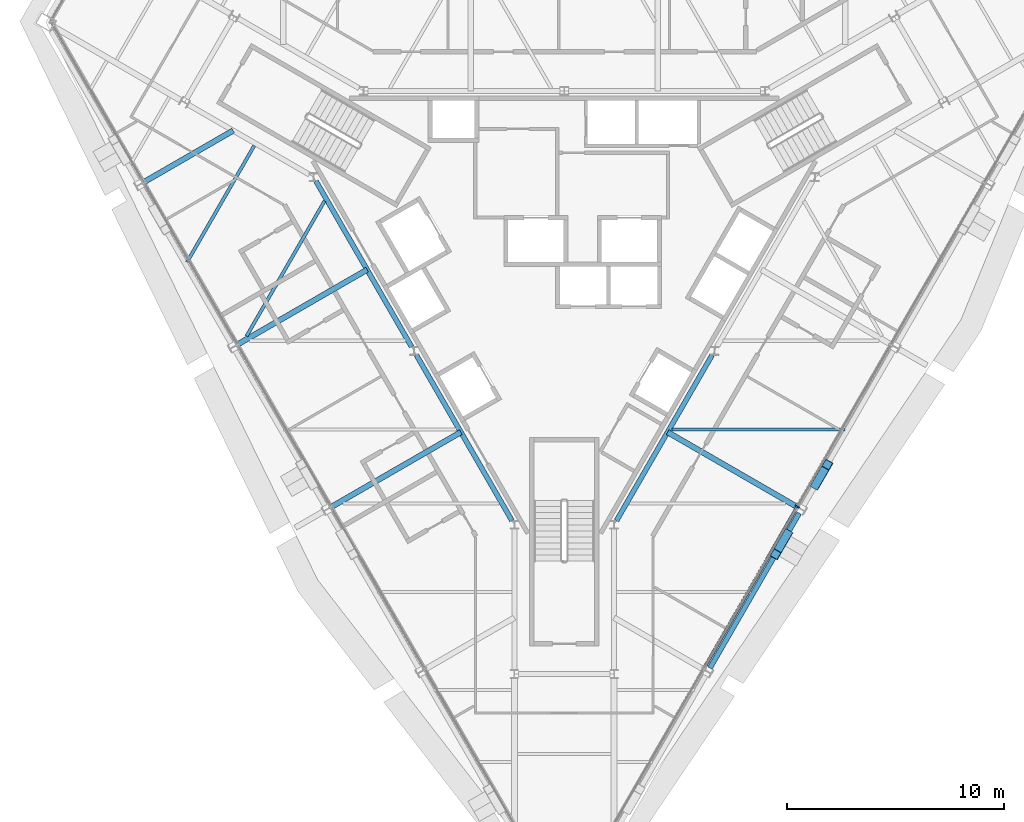
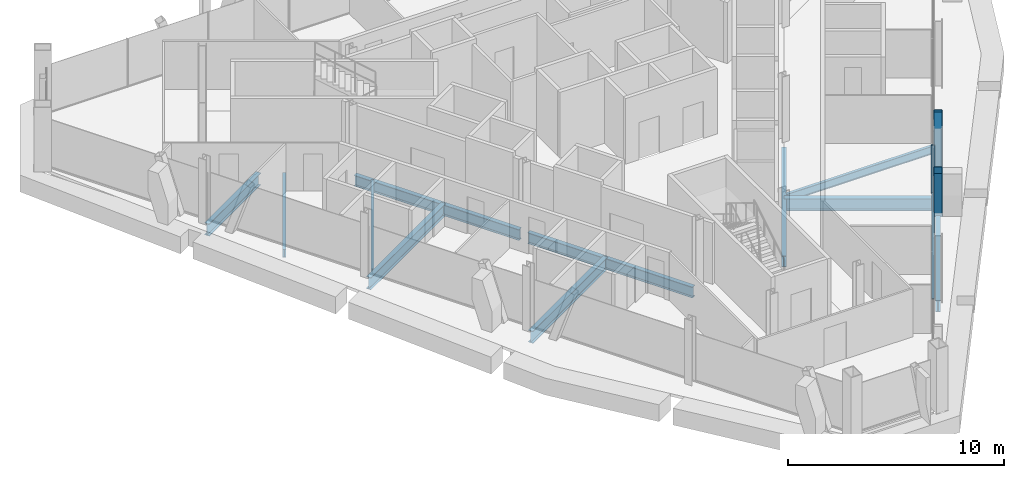
# One storey, part 3 of 13: 11 beams, 4 members, 1 element without a shape of its own.
"""IFC4 building model written with IfcOpenShell, lengths in metres."""

from ifc_helpers import new_model, si_unit, direction, frame, origin, origin_2d, place, context, subcontext, project, spatial, rectangle, hollow_rectangle, i_section, extrude, material, material_profile, profile_set, type_object, element, aggregate, save


model = new_model("IFC4")

# Units and contexts
model_context = context("Model", 3, precision=1e-05, world=origin(), true_north=direction((0.0, 1.0)))
body_context = subcontext(model_context, "Body", "Model", "MODEL_VIEW")
ifc_project = project(units=[si_unit("LENGTHUNIT", "METRE"), si_unit("AREAUNIT", "SQUARE_METRE"), si_unit("VOLUMEUNIT", "CUBIC_METRE"), si_unit("PLANEANGLEUNIT", "RADIAN"), si_unit("MASSUNIT", "GRAM", prefix="KILO")], contexts=[model_context])

# Site, building, storey
site_placement = place(None, origin())
site = spatial("IfcSite", under=ifc_project, at=site_placement, CompositionType="ELEMENT")
building_placement = place(site_placement, origin())
building = spatial("IfcBuilding", under=site, at=building_placement, Name="Verrane Prism Tower", CompositionType="ELEMENT")
storey_placement = place(building_placement, frame((0.0, 0.0, 210.10009765625)))
storey = spatial("IfcBuildingStorey", under=building, at=storey_placement, Name="L52", CompositionType="ELEMENT", Elevation=210.10009765625)

# Beams
ifc_material_1 = material(Name="Steel A992", Category="steel")
ifc_material_profile_1 = material_profile(ifc_material_1, i_section(OverallWidth=0.23046875, OverallDepth=0.6171875, WebThickness=0.01318359375, FlangeThickness=0.022216796875, FilletRadius=0.012939453125, at=origin_2d()), Name="W24x94")
ifc_profile_set_1 = profile_set([ifc_material_profile_1], Name="Steel A992")
beam_type_1 = type_object("IfcBeamType", Name="Core ring girder W24x94", PredefinedType="BEAM", material=ifc_profile_set_1)
beam_1_placement = place(storey_placement, frame((-11.448486328125, 3.826904296875, -0.55859375), z_axis=(0.499967007444, -0.866044451208, 0.0), x_axis=(0.866044451208, 0.499967007444, 0.0)))
element("IfcBeam", 1, at=beam_1_placement, inside=storey, type_object=beam_type_1, Name="Core ring girder L52", PredefinedType="BEAM", context=body_context, shape_type="SweptSolid", body=[
    extrude(i_section(OverallWidth=0.23046875, OverallDepth=0.6171875, WebThickness=0.01318359375, FlangeThickness=0.022216796875, FilletRadius=0.012939453125, at=origin_2d()), origin(), (0.0, 0.0, 1.0), 8.814453125),
])
for number, where, z_axis, x_axis, name in (
    (2, (-6.818603515625, -4.193115234375, -0.55859375), (0.499987781028, -0.866032458297, 0.0), (0.866032458297, 0.499987781028, 0.0), "Core ring girder L52"),
    (3, (2.411376953125, -11.826904296875, -0.55859375), (0.499987781028, 0.866032458297, 0.0), (-0.866032458297, 0.499987781028, 0.0), "Core ring girder L52"),
):
    element("IfcBeam", number, at=place(storey_placement, frame(where, z_axis=z_axis, x_axis=x_axis)), inside=storey, type_object=beam_type_1, Name=name, PredefinedType="BEAM", context=body_context, shape_type="SweptSolid", body=[
        extrude(i_section(OverallWidth=0.23046875, OverallDepth=0.6171875, WebThickness=0.01318359375, FlangeThickness=0.022216796875, FilletRadius=0.012939453125, at=origin_2d()), origin(), (0.0, 0.0, 1.0), 8.814697265625),
    ])

# Members
ifc_material_2 = material(Name="Steel A500 Grade C", Category="steel")
ifc_material_profile_2 = material_profile(ifc_material_2, hollow_rectangle(XDim=0.406494140625, YDim=0.406494140625, WallThickness=0.01904296875, InnerFilletRadius=0.009521484375, OuterFilletRadius=0.028564453125, at=origin_2d()), Name="HSS16x16x3/4")
ifc_profile_set_2 = profile_set([ifc_material_profile_2], Name="Steel A500 Grade C")
member_type_1 = type_object("IfcMemberType", Name="Facade brace HSS16x16x3/4", PredefinedType="BRACE", material=ifc_profile_set_2)
member_1_placement = place(storey_placement, frame((10.28076171875, -12.452880859375, -0.216796875), z_axis=(-0.158163596472, -0.274304799012, 0.948546864414), x_axis=(0.866307461452, -0.499511143251, 0.0)))
element("IfcMember", 4, at=member_1_placement, inside=storey, type_object=member_type_1, Name="Facade brace SE1 L52", PredefinedType="BRACE", context=body_context, shape_type="SweptSolid", body=[
    extrude(hollow_rectangle(XDim=0.406494140625, YDim=0.406494140625, WallThickness=0.01904296875, InnerFilletRadius=0.009521484375, OuterFilletRadius=0.028564453125, at=origin_2d()), origin(), (0.0, 0.0, 1.0), 3.36962890625),
])
member_2_placement = place(storey_placement, frame((11.6005859375, -10.167236328125, -0.216796875), z_axis=(0.158587392449, 0.274285914944, 0.948481563247), x_axis=(-0.865713156605, 0.500540438407, 0.0)))
element("IfcMember", 5, at=member_2_placement, inside=storey, type_object=member_type_1, Name="Facade brace SE2 L52", PredefinedType="BRACE", context=body_context, shape_type="SweptSolid", body=[
    extrude(hollow_rectangle(XDim=0.406494140625, YDim=0.406494140625, WallThickness=0.01904296875, InnerFilletRadius=0.009521484375, OuterFilletRadius=0.028564453125, at=origin_2d()), origin(), (0.0, 0.0, 1.0), 3.369873046875),
])

# Beams
ifc_material_3 = material(Name="Steel A992", Category="steel")
ifc_material_profile_3 = material_profile(ifc_material_3, i_section(OverallWidth=0.15234375, OverallDepth=0.449462890625, WebThickness=0.007568359375, FlangeThickness=0.0107421875, FilletRadius=0.01025390625, at=origin_2d()), Name="W18x35")
ifc_profile_set_3 = profile_set([ifc_material_profile_3], Name="Steel A992")
beam_type_2 = type_object("IfcBeamType", Name="Floor beam W18x35", PredefinedType="BEAM", material=ifc_profile_set_3)
beam_2_placement = place(storey_placement, frame((-14.6533203125, -3.317138671875, -0.385009765625), z_axis=(0.500002364004, 0.866024038922, 0.0), x_axis=(-0.866024038922, 0.500002364004, 0.0)))
element("IfcBeam", 6, at=beam_2_placement, inside=storey, type_object=beam_type_2, Name="Floor beam L52", PredefinedType="BEAM", context=body_context, shape_type="SweptSolid", body=[
    extrude(i_section(OverallWidth=0.15234375, OverallDepth=0.449462890625, WebThickness=0.007568359375, FlangeThickness=0.0107421875, FilletRadius=0.01025390625, at=origin_2d()), origin(), (0.0, 0.0, 1.0), 7.19775390625),
])
beam_3_placement = place(storey_placement, frame((-17.3974609375, 0.098876953125, -0.385009765625), z_axis=(0.499994080864, 0.866028821172, 0.0), x_axis=(-0.866028821172, 0.499994080864, 0.0)))
element("IfcBeam", 7, at=beam_3_placement, inside=storey, type_object=beam_type_2, Name="Floor beam L52", PredefinedType="BEAM", context=body_context, shape_type="SweptSolid", body=[
    extrude(i_section(OverallWidth=0.15234375, OverallDepth=0.449462890625, WebThickness=0.007568359375, FlangeThickness=0.0107421875, FilletRadius=0.01025390625, at=origin_2d()), origin(), (0.0, 0.0, 1.0), 6.1982421875),
])
beam_4_placement = place(storey_placement, frame((4.9755859375, -7.623291015625, -0.385009765625), z_axis=(1.0, 0.0, 0.0), x_axis=(0.0, 1.0, 0.0)))
element("IfcBeam", 8, at=beam_4_placement, inside=storey, type_object=beam_type_2, Name="Floor beam L52", PredefinedType="BEAM", context=body_context, shape_type="SweptSolid", body=[
    extrude(i_section(OverallWidth=0.15234375, OverallDepth=0.449462890625, WebThickness=0.007568359375, FlangeThickness=0.0107421875, FilletRadius=0.01025390625, at=origin_2d()), origin(), (0.0, 0.0, 1.0), 7.962890625),
])

# Curtain wall, member
ifc_material_4 = material(Name="Aluminium framed insulated glazing", Category="aluminium")
curtain_wall_type = type_object("IfcCurtainWallType", Name="Curtain wall CW-A 8400 module", PredefinedType="NOTDEFINED", material=ifc_material_4)
curtain_wall_placement = place(storey_placement, origin())
curtain_wall = element("IfcCurtainWall", 9, at=curtain_wall_placement, inside=storey, type_object=curtain_wall_type, Name="Glazed curtain wall south-east face L52", PredefinedType="NOTDEFINED")
ifc_material_5 = material(Name="Aluminium alloy 6063-T6", Category="aluminium")
ifc_material_profile_4 = material_profile(ifc_material_5, rectangle(XDim=0.199951171875, YDim=0.070068359375, at=origin_2d()), Name="Mullion 70x200 aluminium")
ifc_profile_set_4 = profile_set([ifc_material_profile_4], Name="Aluminium alloy 6063-T6")
member_type_2 = type_object("IfcMemberType", Name="Mullion 70x200 aluminium", PredefinedType="MULLION", material=ifc_profile_set_4)
member_3_placement = place(storey_placement, frame((10.750244140625, -11.18359375, 0.0), z_axis=(0.0, 0.0, 1.0), x_axis=(-0.866026096662, 0.499998799899, 0.0)))
member_3 = element("IfcMember", 10, at=member_3_placement, type_object=member_type_2, Name="CW51.6 mullion 3", PredefinedType="MULLION", context=body_context, shape_type="SweptSolid", body=[
    extrude(rectangle(XDim=0.199951171875, YDim=0.070068359375, at=origin_2d()), origin(), (0.0, 0.0, 1.0), 2.712890625),
])

# Beams
ifc_material_6 = material(Name="Steel A992", Category="steel")
ifc_material_profile_5 = material_profile(ifc_material_6, i_section(OverallWidth=0.25390625, OverallDepth=0.683349609375, WebThickness=0.012451171875, FlangeThickness=0.01904296875, FilletRadius=0.01513671875, at=origin_2d()), Name="W27x94")
ifc_profile_set_5 = profile_set([ifc_material_profile_5], Name="Steel A992")
beam_type_3 = type_object("IfcBeamType", Name="Radial girder W27x94", PredefinedType="BEAM", material=ifc_profile_set_5)
beam_5_placement = place(storey_placement, frame((-19.417236328125, 3.769775390625, -0.561767578125), z_axis=(0.866040325021, 0.49997415477, 0.0), x_axis=(-0.49997415477, 0.866040325021, 0.0)))
element("IfcBeam", 11, at=beam_5_placement, inside=storey, type_object=beam_type_3, Name="Radial girder L52", PredefinedType="BEAM", context=body_context, shape_type="SweptSolid", body=[
    extrude(i_section(OverallWidth=0.25390625, OverallDepth=0.683349609375, WebThickness=0.012451171875, FlangeThickness=0.01904296875, FilletRadius=0.01513671875, at=origin_2d()), origin(), (0.0, 0.0, 1.0), 4.785888671875),
])
beam_6_placement = place(storey_placement, frame((-15.097412109375, -3.72021484375, -0.561767578125), z_axis=(0.866039581409, 0.499975442831, 0.0), x_axis=(-0.499975442831, 0.866039581409, 0.0)))
element("IfcBeam", 12, at=beam_6_placement, inside=storey, type_object=beam_type_3, Name="Radial girder L52", PredefinedType="BEAM", context=body_context, shape_type="SweptSolid", body=[
    extrude(i_section(OverallWidth=0.25390625, OverallDepth=0.683349609375, WebThickness=0.012451171875, FlangeThickness=0.01904296875, FilletRadius=0.01513671875, at=origin_2d()), origin(), (0.0, 0.0, 1.0), 6.933349609375),
])
for number, where, z_axis, x_axis, name in (
    (13, (-10.767333984375, -11.210205078125, -0.561767578125), (0.866024796723, 0.500001051461, 0.0), (-0.500001051461, 0.866024796723, 0.0), "Radial girder L52"),
    (14, (10.767333984375, -11.210205078125, -0.561767578125), (-0.866024796723, 0.500001051461, 0.0), (-0.500001051461, -0.866024796723, 0.0), "Radial girder L52"),
):
    element("IfcBeam", number, at=place(storey_placement, frame(where, z_axis=z_axis, x_axis=x_axis)), inside=storey, type_object=beam_type_3, Name=name, PredefinedType="BEAM", context=body_context, shape_type="SweptSolid", body=[
        extrude(i_section(OverallWidth=0.25390625, OverallDepth=0.683349609375, WebThickness=0.012451171875, FlangeThickness=0.01904296875, FilletRadius=0.01513671875, at=origin_2d()), origin(), (0.0, 0.0, 1.0), 6.92822265625),
    ])
ifc_material_7 = material(Name="Steel A992", Category="steel")
ifc_material_profile_6 = material_profile(ifc_material_7, i_section(OverallWidth=0.23046875, OverallDepth=0.6171875, WebThickness=0.01318359375, FlangeThickness=0.022216796875, FilletRadius=0.012939453125, at=origin_2d()), Name="W24x94")
ifc_profile_set_6 = profile_set([ifc_material_profile_6], Name="Steel A992")
beam_type_4 = type_object("IfcBeamType", Name="Spandrel beam W24x94", PredefinedType="SPANDREL", material=ifc_profile_set_6)
beam_7_placement = place(storey_placement, frame((6.72021484375, -18.626220703125, -0.46875), z_axis=(0.499613933384, 0.866248184742, 0.0), x_axis=(-0.866248184742, 0.499613933384, 0.0)))
element("IfcBeam", 15, at=beam_7_placement, inside=storey, type_object=beam_type_4, Name="Spandrel beam L52", PredefinedType="SPANDREL", context=body_context, shape_type="SweptSolid", body=[
    extrude(i_section(OverallWidth=0.23046875, OverallDepth=0.6171875, WebThickness=0.01318359375, FlangeThickness=0.022216796875, FilletRadius=0.012939453125, at=origin_2d()), origin(), (0.0, 0.0, 1.0), 8.2451171875),
])

# Member
ifc_material_8 = material(Name="Aluminium alloy 6063-T6", Category="aluminium")
ifc_material_profile_7 = material_profile(ifc_material_8, rectangle(XDim=0.14990234375, YDim=0.070068359375, at=origin_2d()), Name="Transom 70x150 aluminium")
ifc_profile_set_7 = profile_set([ifc_material_profile_7], Name="Aluminium alloy 6063-T6")
member_type_3 = type_object("IfcMemberType", Name="Transom 70x150 aluminium", PredefinedType="USERDEFINED", material=ifc_profile_set_7)
member_4_placement = place(storey_placement, frame((6.45751953125, -18.61865234375, 0.034912109375), z_axis=(0.499999279071, 0.866025820012, 0.0), x_axis=(-0.866025820012, 0.499999279071, 0.0)))
member_4 = element("IfcMember", 16, at=member_4_placement, type_object=member_type_3, Name="CW51.6 transom 2", ObjectType="TRANSOM", PredefinedType="USERDEFINED", context=body_context, shape_type="SweptSolid", body=[
    extrude(rectangle(XDim=0.14990234375, YDim=0.070068359375, at=origin_2d()), origin(), (0.0, 0.0, 1.0), 8.55029296875),
])

aggregate(curtain_wall, [member_3, member_4])

save(model, "model.ifc")
